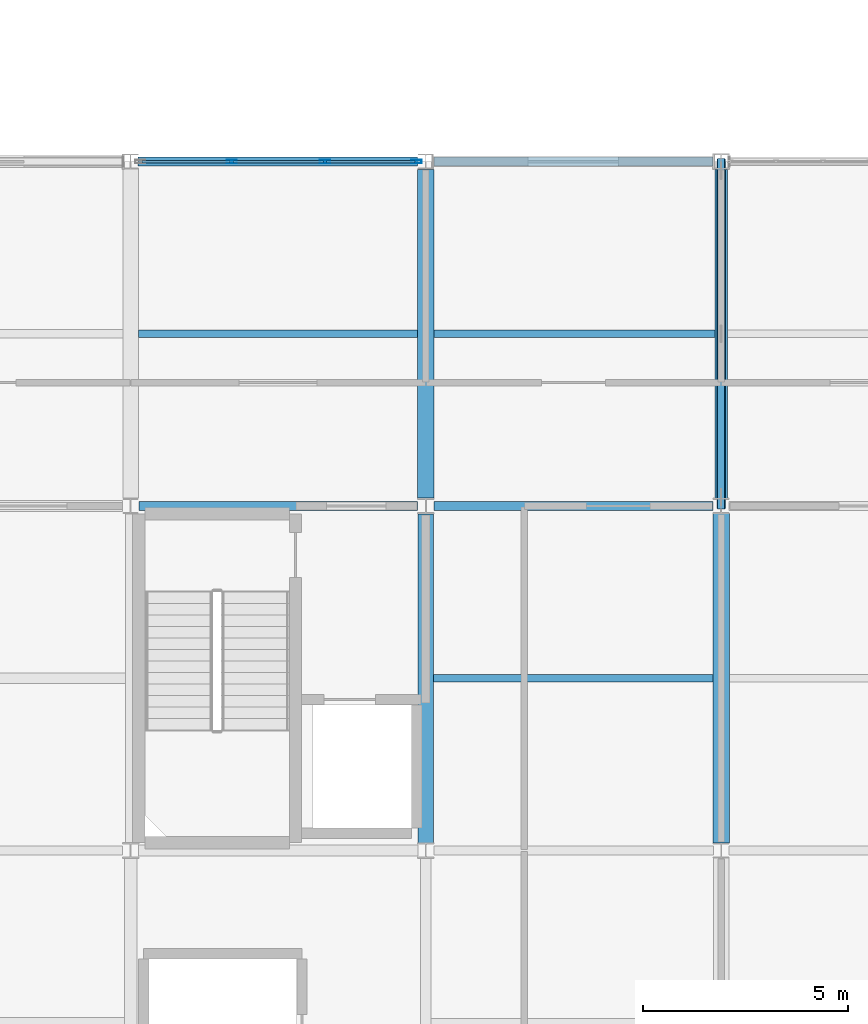
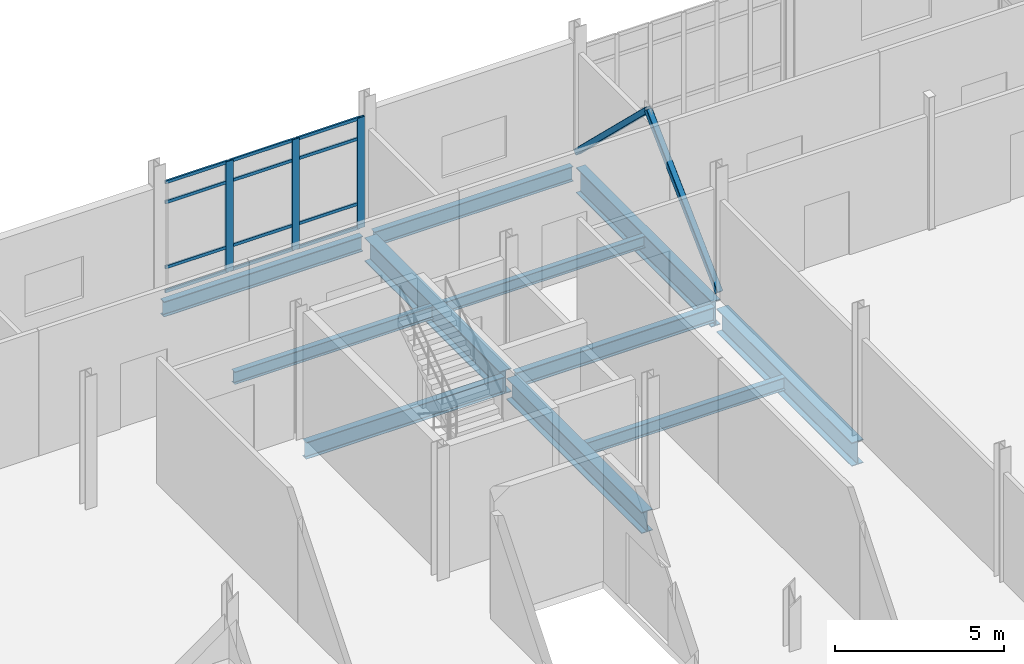
# One storey, part 82 of 153: 17 members, 11 beams, 1 element without a shape of its own.
"""IFC4 building model written with IfcOpenShell, lengths in metres."""

from ifc_helpers import new_model, si_unit, direction, frame, origin, origin_2d, place, context, subcontext, project, spatial, hollow_rectangle, i_section, extrude, material, layer, layer_set, material_profile, profile_set, type_object, element, aggregate, save


model = new_model("IFC4")

# Units and contexts
model_context = context("Model", 3, precision=1e-05, world=origin(), true_north=direction((0.0, 1.0)))
body_context = subcontext(model_context, "Body", "Model", "MODEL_VIEW")
ifc_project = project(units=[si_unit("LENGTHUNIT", "METRE"), si_unit("AREAUNIT", "SQUARE_METRE"), si_unit("VOLUMEUNIT", "CUBIC_METRE"), si_unit("PLANEANGLEUNIT", "RADIAN"), si_unit("MASSUNIT", "GRAM", prefix="KILO")], contexts=[model_context])

# Site, building, storey
site_placement = place(None, origin())
site = spatial("IfcSite", under=ifc_project, at=site_placement, CompositionType="ELEMENT")
building_placement = place(site_placement, origin())
building = spatial("IfcBuilding", under=site, at=building_placement, Name="Calvrana Isthmian Art Gallery", CompositionType="ELEMENT")
storey_placement = place(building_placement, frame((0.0, 0.0, 10.199951171875)))
storey = spatial("IfcBuildingStorey", under=building, at=storey_placement, Name="L02", CompositionType="ELEMENT", Elevation=10.199951171875)

# Beams
ifc_material_1 = material(Name="Steel ASTM A992 Gr 50", Category="steel")
ifc_material_profile_1 = material_profile(ifc_material_1, i_section(OverallWidth=0.208984375, OverallDepth=0.532958984375, WebThickness=0.01025390625, FlangeThickness=0.015625, FilletRadius=0.02099609375, at=origin_2d()), Name="W21X62")
ifc_profile_set_1 = profile_set([ifc_material_profile_1], Name="Steel ASTM A992 Gr 50")
beam_type_1 = type_object("IfcBeamType", Name="BM-G-W21X62", PredefinedType="BEAM", material=ifc_profile_set_1)
beam_1_placement = place(storey_placement, frame((134.599609375, 46.800048828125, -0.531494140625), z_axis=(1.0, 0.0, 0.0), x_axis=(0.0, 1.0, 0.0)))
element("IfcBeam", 1, at=beam_1_placement, inside=storey, type_object=beam_type_1, Name="Girder X L02 18-19/G", PredefinedType="BEAM", context=body_context, shape_type="SweptSolid", body=[
    extrude(i_section(OverallWidth=0.208984375, OverallDepth=0.532958984375, WebThickness=0.01025390625, FlangeThickness=0.015625, FilletRadius=0.02099609375, at=origin_2d()), origin(), (0.0, 0.0, 1.0), 6.802490234375),
])
ifc_material_profile_2 = material_profile(ifc_material_1, i_section(OverallWidth=0.214111328125, OverallDepth=0.549072265625, WebThickness=0.0146484375, FlangeThickness=0.023681640625, FilletRadius=0.02099609375, at=origin_2d()), Name="W21X93")
ifc_profile_set_2 = profile_set([ifc_material_profile_2], Name="Steel ASTM A992 Gr 50")
beam_type_2 = type_object("IfcBeamType", Name="BM-G-W21X93", PredefinedType="BEAM", material=ifc_profile_set_2)
beam_2_placement = place(storey_placement, frame((134.597900390625, 38.39990234375, -0.53955078125), z_axis=(1.0, 0.0, 0.0), x_axis=(0.0, 1.0, 0.0)))
element("IfcBeam", 2, at=beam_2_placement, inside=storey, type_object=beam_type_2, Name="Girder X L02 18-19/F", PredefinedType="BEAM", context=body_context, shape_type="SweptSolid", body=[
    extrude(i_section(OverallWidth=0.214111328125, OverallDepth=0.549072265625, WebThickness=0.0146484375, FlangeThickness=0.023681640625, FilletRadius=0.02099609375, at=origin_2d()), origin(), (0.0, 0.0, 1.0), 6.80517578125),
])
beam_3_placement = place(storey_placement, frame((127.386474609375, 46.800048828125, -0.53955078125), z_axis=(1.0, 0.0, 0.0), x_axis=(0.0, 1.0, 0.0)))
element("IfcBeam", 3, at=beam_3_placement, inside=storey, type_object=beam_type_2, Name="Girder X L02 17-18/G", PredefinedType="BEAM", context=body_context, shape_type="SweptSolid", body=[
    extrude(i_section(OverallWidth=0.214111328125, OverallDepth=0.549072265625, WebThickness=0.0146484375, FlangeThickness=0.023681640625, FilletRadius=0.02099609375, at=origin_2d()), origin(), (0.0, 0.0, 1.0), 6.81396484375),
])
ifc_material_profile_3 = material_profile(ifc_material_1, i_section(OverallWidth=0.22802734375, OverallDepth=0.60693359375, WebThickness=0.01123046875, FlangeThickness=0.017333984375, FilletRadius=0.02197265625, at=origin_2d()), Name="W24X76")
ifc_profile_set_3 = profile_set([ifc_material_profile_3], Name="Steel ASTM A992 Gr 50")
beam_type_3 = type_object("IfcBeamType", Name="BM-G-W24X76", PredefinedType="BEAM", material=ifc_profile_set_3)
beam_4_placement = place(storey_placement, frame((127.3994140625, 38.39990234375, -0.568359375), z_axis=(1.0, 0.0, 0.0), x_axis=(0.0, 1.0, 0.0)))
element("IfcBeam", 4, at=beam_4_placement, inside=storey, type_object=beam_type_3, Name="Girder X L02 17-18/F", PredefinedType="BEAM", context=body_context, shape_type="SweptSolid", body=[
    extrude(i_section(OverallWidth=0.22802734375, OverallDepth=0.60693359375, WebThickness=0.01123046875, FlangeThickness=0.017333984375, FilletRadius=0.02197265625, at=origin_2d()), origin(), (0.0, 0.0, 1.0), 6.802490234375),
])
ifc_material_profile_4 = material_profile(ifc_material_1, i_section(OverallWidth=0.381103515625, OverallDepth=0.77197265625, WebThickness=0.0166015625, FlangeThickness=0.027099609375, FilletRadius=0.02490234375, at=origin_2d()), Name="W30X173")
ifc_profile_set_4 = profile_set([ifc_material_profile_4], Name="Steel ASTM A992 Gr 50")
beam_type_4 = type_object("IfcBeamType", Name="BM-G-W30X173", PredefinedType="BEAM", material=ifc_profile_set_4)
beam_5_placement = place(storey_placement, frame((134.39990234375, 30.18798828125, -0.65087890625), z_axis=(0.0, 1.0, 0.0), x_axis=(-1.0, 0.0, 0.0)))
element("IfcBeam", 5, at=beam_5_placement, inside=storey, type_object=beam_type_4, Name="Girder Y L02 18/E-F", PredefinedType="BEAM", context=body_context, shape_type="SweptSolid", body=[
    extrude(i_section(OverallWidth=0.381103515625, OverallDepth=0.77197265625, WebThickness=0.0166015625, FlangeThickness=0.027099609375, FilletRadius=0.02490234375, at=origin_2d()), origin(), (0.0, 0.0, 1.0), 8.021484375),
])
ifc_material_profile_5 = material_profile(ifc_material_1, i_section(OverallWidth=0.40087890625, OverallDepth=0.85595703125, WebThickness=0.018310546875, FlangeThickness=0.029296875, FilletRadius=0.02587890625, at=origin_2d()), Name="W33X201")
ifc_profile_set_5 = profile_set([ifc_material_profile_5], Name="Steel ASTM A992 Gr 50")
beam_type_5 = type_object("IfcBeamType", Name="BM-G-W33X201", PredefinedType="BEAM", material=ifc_profile_set_5)
beam_6_placement = place(storey_placement, frame((134.39990234375, 38.590576171875, -0.69287109375), z_axis=(0.0, 1.0, 0.0), x_axis=(-1.0, 0.0, 0.0)))
element("IfcBeam", 6, at=beam_6_placement, inside=storey, type_object=beam_type_5, Name="Girder Y L02 18/F-G", PredefinedType="BEAM", context=body_context, shape_type="SweptSolid", body=[
    extrude(i_section(OverallWidth=0.40087890625, OverallDepth=0.85595703125, WebThickness=0.018310546875, FlangeThickness=0.029296875, FilletRadius=0.02587890625, at=origin_2d()), origin(), (0.0, 0.0, 1.0), 8.016357421875),
])
beam_7_placement = place(storey_placement, frame((141.60009765625, 30.1865234375, -0.69287109375), z_axis=(0.0, 1.0, 0.0), x_axis=(-1.0, 0.0, 0.0)))
element("IfcBeam", 7, at=beam_7_placement, inside=storey, type_object=beam_type_5, Name="Girder Y L02 19/E-F", PredefinedType="BEAM", context=body_context, shape_type="SweptSolid", body=[
    extrude(i_section(OverallWidth=0.40087890625, OverallDepth=0.85595703125, WebThickness=0.018310546875, FlangeThickness=0.029296875, FilletRadius=0.02587890625, at=origin_2d()), origin(), (0.0, 0.0, 1.0), 8.025390625),
])
ifc_material_profile_6 = material_profile(ifc_material_1, i_section(OverallWidth=0.306884765625, OverallDepth=0.927001953125, WebThickness=0.019287109375, FlangeThickness=0.031982421875, FilletRadius=0.028076171875, at=origin_2d()), Name="W36X194")
ifc_profile_set_6 = profile_set([ifc_material_profile_6], Name="Steel ASTM A992 Gr 50")
beam_type_6 = type_object("IfcBeamType", Name="BM-G-W36X194", PredefinedType="BEAM", material=ifc_profile_set_6)
beam_8_placement = place(storey_placement, frame((141.60009765625, 38.587890625, -0.728515625), z_axis=(0.0, 1.0, 0.0), x_axis=(-1.0, 0.0, 0.0)))
element("IfcBeam", 8, at=beam_8_placement, inside=storey, type_object=beam_type_6, Name="Girder Y L02 19/F-G", PredefinedType="BEAM", context=body_context, shape_type="SweptSolid", body=[
    extrude(i_section(OverallWidth=0.306884765625, OverallDepth=0.927001953125, WebThickness=0.019287109375, FlangeThickness=0.031982421875, FilletRadius=0.028076171875, at=origin_2d()), origin(), (0.0, 0.0, 1.0), 8.021728515625),
])
ifc_material_profile_7 = material_profile(ifc_material_1, i_section(OverallWidth=0.179931640625, OverallDepth=0.4140625, WebThickness=0.009765625, FlangeThickness=0.01611328125, FilletRadius=0.01806640625, at=origin_2d()), Name="W16X50")
ifc_profile_set_7 = profile_set([ifc_material_profile_7], Name="Steel ASTM A992 Gr 50")
beam_type_7 = type_object("IfcBeamType", Name="BM-J-W16X50", PredefinedType="JOIST", material=ifc_profile_set_7)
beam_9_placement = place(storey_placement, frame((134.6005859375, 42.60009765625, -0.471923828125), z_axis=(1.0, 0.0, 0.0), x_axis=(0.0, 1.0, 0.0)))
element("IfcBeam", 9, at=beam_9_placement, inside=storey, type_object=beam_type_7, Name="Composite joist L02 bay 17-05", PredefinedType="JOIST", context=body_context, shape_type="SweptSolid", body=[
    extrude(i_section(OverallWidth=0.179931640625, OverallDepth=0.4140625, WebThickness=0.009765625, FlangeThickness=0.01611328125, FilletRadius=0.01806640625, at=origin_2d()), origin(), (0.0, 0.0, 1.0), 6.845947265625),
])
ifc_material_profile_8 = material_profile(ifc_material_1, i_section(OverallWidth=0.19091796875, OverallDepth=0.45703125, WebThickness=0.009033203125, FlangeThickness=0.014404296875, FilletRadius=0.02001953125, at=origin_2d()), Name="W18X50")
ifc_profile_set_8 = profile_set([ifc_material_profile_8], Name="Steel ASTM A992 Gr 50")
beam_type_8 = type_object("IfcBeamType", Name="BM-J-W18X50", PredefinedType="JOIST", material=ifc_profile_set_8)
beam_10_placement = place(storey_placement, frame((127.390380859375, 42.60009765625, -0.493408203125), z_axis=(1.0, 0.0, 0.0), x_axis=(0.0, 1.0, 0.0)))
element("IfcBeam", 10, at=beam_10_placement, inside=storey, type_object=beam_type_8, Name="Composite joist L02 bay 16-05", PredefinedType="JOIST", context=body_context, shape_type="SweptSolid", body=[
    extrude(i_section(OverallWidth=0.19091796875, OverallDepth=0.45703125, WebThickness=0.009033203125, FlangeThickness=0.014404296875, FilletRadius=0.02001953125, at=origin_2d()), origin(), (0.0, 0.0, 1.0), 6.80908203125),
])
beam_11_placement = place(storey_placement, frame((134.590576171875, 34.199951171875, -0.493408203125), z_axis=(1.0, 0.0, 0.0), x_axis=(0.0, 1.0, 0.0)))
element("IfcBeam", 11, at=beam_11_placement, inside=storey, type_object=beam_type_8, Name="Composite joist L02 bay 17-04", PredefinedType="JOIST", context=body_context, shape_type="SweptSolid", body=[
    extrude(i_section(OverallWidth=0.19091796875, OverallDepth=0.45703125, WebThickness=0.009033203125, FlangeThickness=0.014404296875, FilletRadius=0.02001953125, at=origin_2d()), origin(), (0.0, 0.0, 1.0), 6.808837890625),
])

# Curtain wall, members
ifc_material_2 = material(Name="Anodized bronze aluminium 6063-T6", Category="aluminium")
ifc_layer = layer(ifc_material_2, 0.179931640625, Name="Anodized bronze aluminium 6063-T6")
ifc_layer_set = layer_set([ifc_layer], Name="Anodized bronze aluminium 6063-T6")
curtain_wall_type = type_object("IfcCurtainWallType", Name="CW-UNIT-068X40", PredefinedType="USERDEFINED", material=ifc_layer_set)
curtain_wall_placement = place(storey_placement, origin())
curtain_wall = element("IfcCurtainWall", 12, at=curtain_wall_placement, inside=storey, type_object=curtain_wall_type, Name="Curtain wall CW-155", ObjectType="UNITISED CURTAIN WALL", PredefinedType="USERDEFINED")
ifc_material_profile_9 = material_profile(ifc_material_2, hollow_rectangle(XDim=0.080078125, YDim=0.25, WallThickness=0.005615234375, at=origin_2d()), Name="CWM80X250")
ifc_profile_set_9 = profile_set([ifc_material_profile_9], Name="Anodized bronze aluminium 6063-T6")
member_type_1 = type_object("IfcMemberType", Name="CWM-CWM80X250", PredefinedType="MULLION", material=ifc_profile_set_9)
member_1_placement = place(storey_placement, frame((129.669189453125, 46.800048828125, 0.0), z_axis=(0.0, 0.0, 1.0), x_axis=(0.0, 1.0, 0.0)))
member_1 = element("IfcMember", 13, at=member_1_placement, type_object=member_type_1, Name="CW-155 mullion 2", PredefinedType="MULLION", context=body_context, shape_type="SweptSolid", body=[
    extrude(hollow_rectangle(XDim=0.080078125, YDim=0.25, WallThickness=0.005615234375, at=origin_2d()), origin(), (0.0, 0.0, 1.0), 4.007080078125),
])
member_2_placement = place(storey_placement, frame((131.94140625, 46.800048828125, 0.0), z_axis=(0.0, 0.0, 1.0), x_axis=(0.0, 1.0, 0.0)))
member_2 = element("IfcMember", 14, at=member_2_placement, type_object=member_type_1, Name="CW-155 mullion 3", PredefinedType="MULLION", context=body_context, shape_type="SweptSolid", body=[
    extrude(hollow_rectangle(XDim=0.080078125, YDim=0.25, WallThickness=0.005615234375, at=origin_2d()), origin(), (0.0, 0.0, 1.0), 4.007080078125),
])
member_3_placement = place(storey_placement, frame((134.173583984375, 46.800048828125, 0.0), z_axis=(0.0, 0.0, 1.0), x_axis=(0.0, 1.0, 0.0)))
member_3 = element("IfcMember", 15, at=member_3_placement, type_object=member_type_1, Name="CW-155 mullion 4", PredefinedType="MULLION", context=body_context, shape_type="SweptSolid", body=[
    extrude(hollow_rectangle(XDim=0.080078125, YDim=0.25, WallThickness=0.005615234375, at=origin_2d()), origin(), (0.0, 0.0, 1.0), 4.007080078125),
])
ifc_material_profile_10 = material_profile(ifc_material_2, hollow_rectangle(XDim=0.06005859375, YDim=0.110107421875, WallThickness=0.00341796875, at=origin_2d()), Name="CWT60X110")
ifc_profile_set_10 = profile_set([ifc_material_profile_10], Name="Anodized bronze aluminium 6063-T6")
member_type_2 = type_object("IfcMemberType", Name="CWT-CWT60X110", PredefinedType="USERDEFINED", material=ifc_profile_set_10)
member_4_placement = place(storey_placement, frame((127.47705078125, 46.800048828125, 0.030029296875), z_axis=(1.0, 0.0, 0.0), x_axis=(0.0, 1.0, 0.0)))
member_4 = element("IfcMember", 16, at=member_4_placement, type_object=member_type_2, Name="CW-155 transom 1.1", ObjectType="TRANSOM", PredefinedType="USERDEFINED", context=body_context, shape_type="SweptSolid", body=[
    extrude(hollow_rectangle(XDim=0.06005859375, YDim=0.110107421875, WallThickness=0.00341796875, at=origin_2d()), origin(), (0.0, 0.0, 1.0), 2.152099609375),
])
member_5_placement = place(storey_placement, frame((127.47705078125, 46.800048828125, 0.900146484375), z_axis=(1.0, 0.0, 0.0), x_axis=(0.0, 1.0, 0.0)))
member_5 = element("IfcMember", 17, at=member_5_placement, type_object=member_type_2, Name="CW-155 transom 1.2", ObjectType="TRANSOM", PredefinedType="USERDEFINED", context=body_context, shape_type="SweptSolid", body=[
    extrude(hollow_rectangle(XDim=0.06005859375, YDim=0.110107421875, WallThickness=0.00341796875, at=origin_2d()), origin(), (0.0, 0.0, 1.0), 2.152099609375),
])
member_6_placement = place(storey_placement, frame((127.47705078125, 46.800048828125, 3.257080078125), z_axis=(1.0, 0.0, 0.0), x_axis=(0.0, 1.0, 0.0)))
member_6 = element("IfcMember", 18, at=member_6_placement, type_object=member_type_2, Name="CW-155 transom 1.3", ObjectType="TRANSOM", PredefinedType="USERDEFINED", context=body_context, shape_type="SweptSolid", body=[
    extrude(hollow_rectangle(XDim=0.06005859375, YDim=0.110107421875, WallThickness=0.00341796875, at=origin_2d()), origin(), (0.0, 0.0, 1.0), 2.152099609375),
])
member_7_placement = place(storey_placement, frame((127.47705078125, 46.800048828125, 3.97705078125), z_axis=(1.0, 0.0, 0.0), x_axis=(0.0, 1.0, 0.0)))
member_7 = element("IfcMember", 19, at=member_7_placement, type_object=member_type_2, Name="CW-155 transom 1.4", ObjectType="TRANSOM", PredefinedType="USERDEFINED", context=body_context, shape_type="SweptSolid", body=[
    extrude(hollow_rectangle(XDim=0.06005859375, YDim=0.110107421875, WallThickness=0.00341796875, at=origin_2d()), origin(), (0.0, 0.0, 1.0), 2.152099609375),
])
member_8_placement = place(storey_placement, frame((129.709228515625, 46.800048828125, 0.030029296875), z_axis=(1.0, 0.0, 0.0), x_axis=(0.0, 1.0, 0.0)))
member_8 = element("IfcMember", 20, at=member_8_placement, type_object=member_type_2, Name="CW-155 transom 2.1", ObjectType="TRANSOM", PredefinedType="USERDEFINED", context=body_context, shape_type="SweptSolid", body=[
    extrude(hollow_rectangle(XDim=0.06005859375, YDim=0.110107421875, WallThickness=0.00341796875, at=origin_2d()), origin(), (0.0, 0.0, 1.0), 2.192138671875),
])
member_9_placement = place(storey_placement, frame((129.709228515625, 46.800048828125, 0.900146484375), z_axis=(1.0, 0.0, 0.0), x_axis=(0.0, 1.0, 0.0)))
member_9 = element("IfcMember", 21, at=member_9_placement, type_object=member_type_2, Name="CW-155 transom 2.2", ObjectType="TRANSOM", PredefinedType="USERDEFINED", context=body_context, shape_type="SweptSolid", body=[
    extrude(hollow_rectangle(XDim=0.06005859375, YDim=0.110107421875, WallThickness=0.00341796875, at=origin_2d()), origin(), (0.0, 0.0, 1.0), 2.192138671875),
])
member_10_placement = place(storey_placement, frame((129.709228515625, 46.800048828125, 3.257080078125), z_axis=(1.0, 0.0, 0.0), x_axis=(0.0, 1.0, 0.0)))
member_10 = element("IfcMember", 22, at=member_10_placement, type_object=member_type_2, Name="CW-155 transom 2.3", ObjectType="TRANSOM", PredefinedType="USERDEFINED", context=body_context, shape_type="SweptSolid", body=[
    extrude(hollow_rectangle(XDim=0.06005859375, YDim=0.110107421875, WallThickness=0.00341796875, at=origin_2d()), origin(), (0.0, 0.0, 1.0), 2.192138671875),
])
member_11_placement = place(storey_placement, frame((129.709228515625, 46.800048828125, 3.97705078125), z_axis=(1.0, 0.0, 0.0), x_axis=(0.0, 1.0, 0.0)))
member_11 = element("IfcMember", 23, at=member_11_placement, type_object=member_type_2, Name="CW-155 transom 2.4", ObjectType="TRANSOM", PredefinedType="USERDEFINED", context=body_context, shape_type="SweptSolid", body=[
    extrude(hollow_rectangle(XDim=0.06005859375, YDim=0.110107421875, WallThickness=0.00341796875, at=origin_2d()), origin(), (0.0, 0.0, 1.0), 2.192138671875),
])
member_12_placement = place(storey_placement, frame((131.9814453125, 46.800048828125, 0.030029296875), z_axis=(1.0, 0.0, 0.0), x_axis=(0.0, 1.0, 0.0)))
member_12 = element("IfcMember", 24, at=member_12_placement, type_object=member_type_2, Name="CW-155 transom 3.1", ObjectType="TRANSOM", PredefinedType="USERDEFINED", context=body_context, shape_type="SweptSolid", body=[
    extrude(hollow_rectangle(XDim=0.06005859375, YDim=0.110107421875, WallThickness=0.00341796875, at=origin_2d()), origin(), (0.0, 0.0, 1.0), 2.152099609375),
])
member_13_placement = place(storey_placement, frame((131.9814453125, 46.800048828125, 0.900146484375), z_axis=(1.0, 0.0, 0.0), x_axis=(0.0, 1.0, 0.0)))
member_13 = element("IfcMember", 25, at=member_13_placement, type_object=member_type_2, Name="CW-155 transom 3.2", ObjectType="TRANSOM", PredefinedType="USERDEFINED", context=body_context, shape_type="SweptSolid", body=[
    extrude(hollow_rectangle(XDim=0.06005859375, YDim=0.110107421875, WallThickness=0.00341796875, at=origin_2d()), origin(), (0.0, 0.0, 1.0), 2.152099609375),
])
member_14_placement = place(storey_placement, frame((131.9814453125, 46.800048828125, 3.257080078125), z_axis=(1.0, 0.0, 0.0), x_axis=(0.0, 1.0, 0.0)))
member_14 = element("IfcMember", 26, at=member_14_placement, type_object=member_type_2, Name="CW-155 transom 3.3", ObjectType="TRANSOM", PredefinedType="USERDEFINED", context=body_context, shape_type="SweptSolid", body=[
    extrude(hollow_rectangle(XDim=0.06005859375, YDim=0.110107421875, WallThickness=0.00341796875, at=origin_2d()), origin(), (0.0, 0.0, 1.0), 2.152099609375),
])
member_15_placement = place(storey_placement, frame((131.9814453125, 46.800048828125, 3.97705078125), z_axis=(1.0, 0.0, 0.0), x_axis=(0.0, 1.0, 0.0)))
member_15 = element("IfcMember", 27, at=member_15_placement, type_object=member_type_2, Name="CW-155 transom 3.4", ObjectType="TRANSOM", PredefinedType="USERDEFINED", context=body_context, shape_type="SweptSolid", body=[
    extrude(hollow_rectangle(XDim=0.06005859375, YDim=0.110107421875, WallThickness=0.00341796875, at=origin_2d()), origin(), (0.0, 0.0, 1.0), 2.152099609375),
])
aggregate(curtain_wall, [member_1, member_2, member_3, member_4, member_5, member_6, member_7, member_8, member_9, member_10, member_11, member_12, member_13, member_14, member_15])

# Members
ifc_material_3 = material(Name="Steel ASTM A500 Gr C", Category="steel")
ifc_material_profile_11 = material_profile(ifc_material_3, hollow_rectangle(XDim=0.203125, YDim=0.203125, WallThickness=0.0126953125, OuterFilletRadius=0.02490234375, at=origin_2d()), Name="HSS203X203X12.7")
ifc_profile_set_11 = profile_set([ifc_material_profile_11], Name="Steel ASTM A500 Gr C")
member_type_3 = type_object("IfcMemberType", Name="MB-BR-RHS203", PredefinedType="BRACE", material=ifc_profile_set_11)
member_16_placement = place(storey_placement, frame((141.60009765625, 38.39990234375, 0.150146484375), z_axis=(0.0, 0.719145717905, 0.694859292533), x_axis=(-1.0, 0.0, 0.0)))
element("IfcMember", 28, at=member_16_placement, inside=storey, type_object=member_type_3, Name="Chevron lateral brace L02-9A", PredefinedType="BRACE", context=body_context, shape_type="SweptSolid", body=[
    extrude(hollow_rectangle(XDim=0.203125, YDim=0.203125, WallThickness=0.0126953125, OuterFilletRadius=0.02490234375, at=origin_2d()), origin(), (0.0, 0.0, 1.0), 5.840576171875),
])
member_17_placement = place(storey_placement, frame((141.60009765625, 46.800048828125, 0.150146484375), z_axis=(0.0, -0.719125534205, 0.694880181078), x_axis=(1.0, 0.0, 0.0)))
element("IfcMember", 29, at=member_17_placement, inside=storey, type_object=member_type_3, Name="Chevron lateral brace L02-9B", PredefinedType="BRACE", context=body_context, shape_type="SweptSolid", body=[
    extrude(hollow_rectangle(XDim=0.203125, YDim=0.203125, WallThickness=0.0126953125, OuterFilletRadius=0.02490234375, at=origin_2d()), origin(), (0.0, 0.0, 1.0), 5.84033203125),
])

save(model, "model.ifc")
